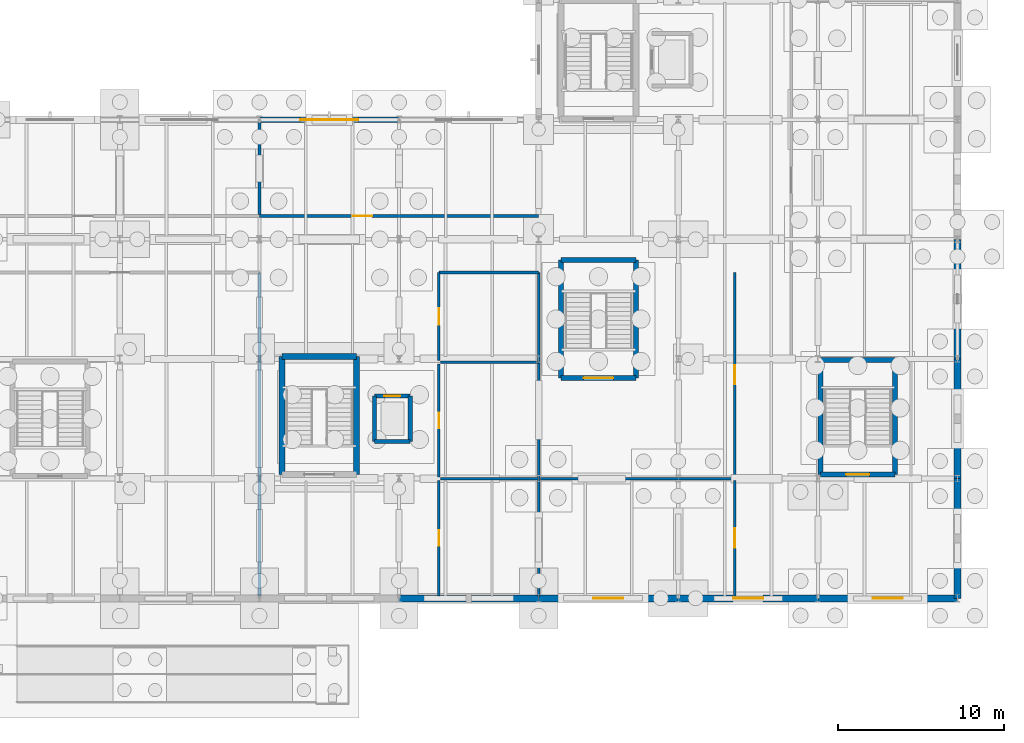
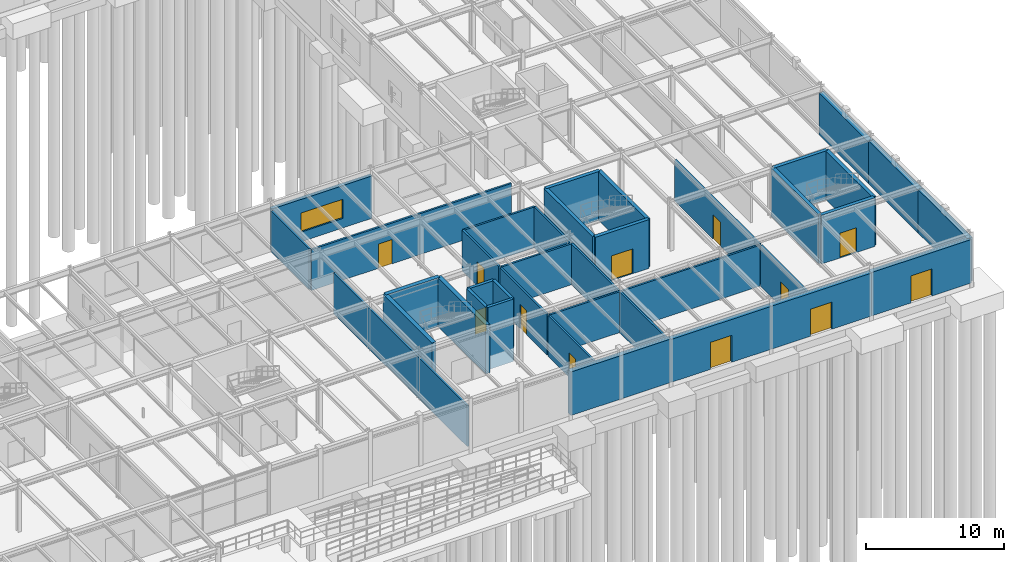
# One storey, part 63 of 93: 36 walls, 12 doors, 1 window, 13 openings.
"""IFC4 building model written with IfcOpenShell, lengths in metres."""

from ifc_helpers import new_model, si_unit, derived_unit, direction, frame, frame_2d, origin, place, context, subcontext, project, spatial, rectangle, extrude, material, layer, layer_set, type_object, element, fill, save


model = new_model("IFC4")

# Units and contexts
model_context = context("Model", 3, precision=1e-05, world=origin(), true_north=direction((0.0, 1.0)))
body_context = subcontext(model_context, "Body", "Model", "MODEL_VIEW")
ifc_project = project(units=[si_unit("LENGTHUNIT", "METRE"), si_unit("AREAUNIT", "SQUARE_METRE"), si_unit("VOLUMEUNIT", "CUBIC_METRE"), si_unit("PLANEANGLEUNIT", "RADIAN"), si_unit("MASSUNIT", "GRAM", prefix="KILO"), derived_unit("THERMALTRANSMITTANCEUNIT", [(si_unit("MASSUNIT", "GRAM", prefix="KILO"), 1), (si_unit("TIMEUNIT", "SECOND"), -3), (si_unit("THERMODYNAMICTEMPERATUREUNIT", "KELVIN"), -1)])], contexts=[model_context])

# Site, building, storey
site_placement = place(None, origin())
site = spatial("IfcSite", under=ifc_project, at=site_placement, CompositionType="ELEMENT")
building_placement = place(site_placement, origin())
building = spatial("IfcBuilding", under=site, at=building_placement, Name="Kharveza Railside Sports Centre", CompositionType="ELEMENT")
storey_placement = place(building_placement, origin())
storey = spatial("IfcBuildingStorey", under=building, at=storey_placement, Name="L00", CompositionType="ELEMENT", Elevation=0.0)

# Wall
ifc_material_1 = material(Name="Precast concrete C40/50", Category="concrete")
ifc_layer_1 = layer(ifc_material_1, 0.419921875, Name="Precast concrete C40/50")
ifc_layer_set_1 = layer_set([ifc_layer_1], Name="Precast concrete C40/50")
wall_type_1 = type_object("IfcWallType", Name="WL-BM420", PredefinedType="SOLIDWALL", material=ifc_layer_set_1)
wall_1_placement = place(storey_placement, frame((134.39990234375, 7.199951171875, 0.0), z_axis=(0.0, 0.0, 1.0), x_axis=(1.0, 0.0, 0.0)))
element("IfcWall", 1, at=wall_1_placement, inside=storey, type_object=wall_type_1, Name="WL-EXT-L00-011", PredefinedType="SOLIDWALL", context=body_context, shape_type="SweptSolid", body=[
    extrude(rectangle(XDim=8.400146484375, YDim=0.419921875, at=frame_2d((4.2001953125, 0.0))), origin(), (0.0, 0.0, 1.0), 3.85498046875),
])

# Wall, opening, door
wall_2_placement = place(storey_placement, frame((142.800048828125, 7.199951171875, 0.0), z_axis=(0.0, 0.0, 1.0), x_axis=(1.0, 0.0, 0.0)))
wall_2 = element("IfcWall", 2, at=wall_2_placement, inside=storey, type_object=wall_type_1, Name="WL-EXT-L00-012", PredefinedType="SOLIDWALL", context=body_context, shape_type="SweptSolid", body=[
    extrude(rectangle(XDim=8.39990234375, YDim=0.419921875, at=frame_2d((4.199951171875, 0.0))), origin(), (0.0, 0.0, 1.0), 3.804931640625),
])
opening_1_placement = place(wall_2_placement, frame((3.300048828125, 0.0, 0.0)))
opening_1 = element("IfcOpeningElement", 3, at=opening_1_placement, cuts=wall_2, Name="Opening D03", PredefinedType="OPENING", context=body_context, shape_type="SweptSolid", body=[
    extrude(rectangle(XDim=1.800048828125, YDim=2.39990234375, at=frame_2d((0.89990234375, 1.199951171875))), frame((0.0, 0.23486328125, 0.0), z_axis=(0.0, -1.0, 0.0), x_axis=(1.0, 0.0, 0.0)), (0.0, 0.0, 1.0), 0.4697265625),
])
ifc_material_2 = material(Name="Anodised aluminium 6063-T6", Category="aluminium")
door_type_1 = type_object("IfcDoorType", Name="DR-EX03", OperationType="NOTDEFINED", PredefinedType="DOOR", material=ifc_material_2)
door_1_placement = place(opening_1_placement, frame((1.800048828125, 0.0, 0.0), z_axis=(0.0, 0.0, 1.0), x_axis=(-1.0, 0.0, 0.0)))
door_1 = element("IfcDoor", 4, at=door_1_placement, inside=storey, type_object=door_type_1, Name="DR-L00-EX-006", OperationType="DOUBLE_DOOR_SINGLE_SWING", OverallHeight=2.39990234375, OverallWidth=1.800048828125, PredefinedType="DOOR", context=body_context, shape_type="SweptSolid", body=[
    extrude(rectangle(XDim=1.800048828125, YDim=2.39990234375, at=frame_2d((0.89990234375, 1.199951171875))), frame((0.0, 0.02490234375, 0.0), z_axis=(0.0, -1.0, 0.0), x_axis=(1.0, 0.0, 0.0)), (0.0, 0.0, 1.0), 0.050048828125),
])
fill(opening_1, door_1)

wall_3_placement = place(storey_placement, frame((151.199951171875, 7.199951171875, 0.0), z_axis=(0.0, 0.0, 1.0), x_axis=(1.0, 0.0, 0.0)))
wall_3 = element("IfcWall", 5, at=wall_3_placement, inside=storey, type_object=wall_type_1, Name="WL-EXT-L00-013", PredefinedType="SOLIDWALL", context=body_context, shape_type="SweptSolid", body=[
    extrude(rectangle(XDim=8.400146484375, YDim=0.419921875, at=frame_2d((4.2001953125, 0.0))), origin(), (0.0, 0.0, 1.0), 3.804931640625),
])
opening_2_placement = place(wall_3_placement, frame((3.300048828125, 0.0, 0.0)))
opening_2 = element("IfcOpeningElement", 6, at=opening_2_placement, cuts=wall_3, Name="Opening D03", PredefinedType="OPENING", context=body_context, shape_type="SweptSolid", body=[
    extrude(rectangle(XDim=1.800048828125, YDim=2.39990234375, at=frame_2d((0.89990234375, 1.199951171875))), frame((0.0, 0.23486328125, 0.0), z_axis=(0.0, -1.0, 0.0), x_axis=(1.0, 0.0, 0.0)), (0.0, 0.0, 1.0), 0.4697265625),
])
door_2_placement = place(opening_2_placement, frame((1.800048828125, 0.0, 0.0), z_axis=(0.0, 0.0, 1.0), x_axis=(-1.0, 0.0, 0.0)))
door_2 = element("IfcDoor", 7, at=door_2_placement, inside=storey, type_object=door_type_1, Name="DR-L00-EX-007", OperationType="DOUBLE_DOOR_SINGLE_SWING", OverallHeight=2.39990234375, OverallWidth=1.800048828125, PredefinedType="DOOR", context=body_context, shape_type="SweptSolid", body=[
    extrude(rectangle(XDim=1.800048828125, YDim=2.39990234375, at=frame_2d((0.89990234375, 1.199951171875))), frame((0.0, 0.02490234375, 0.0), z_axis=(0.0, -1.0, 0.0), x_axis=(1.0, 0.0, 0.0)), (0.0, 0.0, 1.0), 0.050048828125),
])
fill(opening_2, door_2)

wall_4_placement = place(storey_placement, frame((159.60009765625, 7.199951171875, 0.0), z_axis=(0.0, 0.0, 1.0), x_axis=(1.0, 0.0, 0.0)))
wall_4 = element("IfcWall", 8, at=wall_4_placement, inside=storey, type_object=wall_type_1, Name="WL-EXT-L00-014", PredefinedType="SOLIDWALL", context=body_context, shape_type="SweptSolid", body=[
    extrude(rectangle(XDim=8.39990234375, YDim=0.419921875, at=frame_2d((4.199951171875, 0.0))), origin(), (0.0, 0.0, 1.0), 3.85498046875),
])
opening_3_placement = place(wall_4_placement, frame((3.300048828125, 0.0, 0.0)))
opening_3 = element("IfcOpeningElement", 9, at=opening_3_placement, cuts=wall_4, Name="Opening D03", PredefinedType="OPENING", context=body_context, shape_type="SweptSolid", body=[
    extrude(rectangle(XDim=1.800048828125, YDim=2.39990234375, at=frame_2d((0.89990234375, 1.199951171875))), frame((0.0, 0.23486328125, 0.0), z_axis=(0.0, -1.0, 0.0), x_axis=(1.0, 0.0, 0.0)), (0.0, 0.0, 1.0), 0.4697265625),
])
door_3_placement = place(opening_3_placement, frame((1.800048828125, 0.0, 0.0), z_axis=(0.0, 0.0, 1.0), x_axis=(-1.0, 0.0, 0.0)))
door_3 = element("IfcDoor", 10, at=door_3_placement, inside=storey, type_object=door_type_1, Name="DR-L00-EX-008", OperationType="DOUBLE_DOOR_SINGLE_SWING", OverallHeight=2.39990234375, OverallWidth=1.800048828125, PredefinedType="DOOR", context=body_context, shape_type="SweptSolid", body=[
    extrude(rectangle(XDim=1.800048828125, YDim=2.39990234375, at=frame_2d((0.89990234375, 1.199951171875))), frame((0.0, 0.02490234375, 0.0), z_axis=(0.0, -1.0, 0.0), x_axis=(1.0, 0.0, 0.0)), (0.0, 0.0, 1.0), 0.050048828125),
])
fill(opening_3, door_3)

# Walls
wall_5_placement = place(storey_placement, frame((168.0, 7.199951171875, 0.0), z_axis=(0.0, 0.0, 1.0), x_axis=(0.0, 1.0, 0.0)))
element("IfcWall", 11, at=wall_5_placement, inside=storey, type_object=wall_type_1, Name="WL-EXT-L00-015", PredefinedType="SOLIDWALL", context=body_context, shape_type="SweptSolid", body=[
    extrude(rectangle(XDim=7.199951171875, YDim=0.419921875, at=frame_2d((3.60009765625, 0.0))), origin(), (0.0, 0.0, 1.0), 3.85498046875),
])
wall_6_placement = place(storey_placement, frame((168.0, 14.39990234375, 0.0), z_axis=(0.0, 0.0, 1.0), x_axis=(0.0, 1.0, 0.0)))
element("IfcWall", 12, at=wall_6_placement, inside=storey, type_object=wall_type_1, Name="WL-EXT-L00-016", PredefinedType="SOLIDWALL", context=body_context, shape_type="SweptSolid", body=[
    extrude(rectangle(XDim=7.2001953125, YDim=0.419921875, at=frame_2d((3.60009765625, 0.0))), origin(), (0.0, 0.0, 1.0), 3.804931640625),
])
wall_7_placement = place(storey_placement, frame((168.0, 21.60009765625, 0.0), z_axis=(0.0, 0.0, 1.0), x_axis=(0.0, 1.0, 0.0)))
element("IfcWall", 13, at=wall_7_placement, inside=storey, type_object=wall_type_1, Name="WL-EXT-L00-017", PredefinedType="SOLIDWALL", context=body_context, shape_type="SweptSolid", body=[
    extrude(rectangle(XDim=7.199951171875, YDim=0.419921875, at=frame_2d((3.60009765625, 0.0))), origin(), (0.0, 0.0, 1.0), 3.705078125),
])
ifc_material_3 = material(Name="Concrete C35/45", Category="concrete")
ifc_layer_2 = layer(ifc_material_3, 0.25, Name="Concrete C35/45")
ifc_layer_set_2 = layer_set([ifc_layer_2], Name="Concrete C35/45")
wall_type_2 = type_object("IfcWallType", Name="WL-CR250", PredefinedType="SHEAR", material=ifc_layer_set_2)
wall_8_placement = place(storey_placement, frame((132.925048828125, 16.625, -1.199951171875), z_axis=(0.0, 0.0, 1.0), x_axis=(1.0, 0.0, 0.0)))
element("IfcWall", 14, at=wall_8_placement, inside=storey, type_object=wall_type_2, Name="WL-LFSH-LF3-L00-S", PredefinedType="SHEAR", context=body_context, shape_type="SweptSolid", body=[
    extrude(rectangle(XDim=2.14990234375, YDim=0.25, at=frame_2d((1.074951171875, 0.0))), origin(), (0.0, 0.0, 1.0), 5.52001953125),
])
wall_9_placement = place(storey_placement, frame((135.074951171875, 16.625, -1.199951171875), z_axis=(0.0, 0.0, 1.0), x_axis=(0.0, 1.0, 0.0)))
element("IfcWall", 15, at=wall_9_placement, inside=storey, type_object=wall_type_2, Name="WL-LFSH-LF3-L00-E", PredefinedType="SHEAR", context=body_context, shape_type="SweptSolid", body=[
    extrude(rectangle(XDim=2.75, YDim=0.25, at=frame_2d((1.375, 0.0))), origin(), (0.0, 0.0, 1.0), 5.52001953125),
])

# Wall, opening, door
wall_10_placement = place(storey_placement, frame((135.074951171875, 19.375, -1.199951171875), z_axis=(0.0, 0.0, 1.0), x_axis=(-1.0, 0.0, 0.0)))
wall_10 = element("IfcWall", 16, at=wall_10_placement, inside=storey, type_object=wall_type_2, Name="WL-LFSH-LF3-L00-N", PredefinedType="SHEAR", context=body_context, shape_type="SweptSolid", body=[
    extrude(rectangle(XDim=2.14990234375, YDim=0.25, at=frame_2d((1.074951171875, 0.0))), origin(), (0.0, 0.0, 1.0), 5.52001953125),
])
opening_4_placement = place(wall_10_placement, frame((0.60009765625, 0.0, 1.199951171875)))
opening_4 = element("IfcOpeningElement", 17, at=opening_4_placement, cuts=wall_10, Name="Opening D12", PredefinedType="OPENING", context=body_context, shape_type="SweptSolid", body=[
    extrude(rectangle(XDim=0.949951171875, YDim=2.10009765625, at=frame_2d((0.47509765625, 1.050048828125))), frame((0.0, 0.14990234375, 0.0), z_axis=(0.0, -1.0, 0.0), x_axis=(1.0, 0.0, 0.0)), (0.0, 0.0, 1.0), 0.2998046875),
])
ifc_material_4 = material(Name="Brushed stainless steel landing door", Category="steel")
door_type_2 = type_object("IfcDoorType", Name="DR-LF02", OperationType="NOTDEFINED", PredefinedType="DOOR", material=ifc_material_4)
door_4_placement = place(opening_4_placement, origin())
door_4 = element("IfcDoor", 18, at=door_4_placement, inside=storey, type_object=door_type_2, Name="DR-LD-LF3-L00", OperationType="SLIDING_TO_LEFT", OverallHeight=2.10009765625, OverallWidth=0.949951171875, PredefinedType="DOOR", context=body_context, shape_type="SweptSolid", body=[
    extrude(rectangle(XDim=0.949951171875, YDim=2.10009765625, at=frame_2d((0.47509765625, 1.050048828125))), frame((0.0, 0.02490234375, 0.0), z_axis=(0.0, -1.0, 0.0), x_axis=(1.0, 0.0, 0.0)), (0.0, 0.0, 1.0), 0.050048828125),
])
fill(opening_4, door_4)

# Wall
wall_11_placement = place(storey_placement, frame((132.925048828125, 19.375, -1.199951171875), z_axis=(0.0, 0.0, 1.0), x_axis=(0.0, -1.0, 0.0)))
element("IfcWall", 19, at=wall_11_placement, inside=storey, type_object=wall_type_2, Name="WL-LFSH-LF3-L00-W", PredefinedType="SHEAR", context=body_context, shape_type="SweptSolid", body=[
    extrude(rectangle(XDim=2.75, YDim=0.25, at=frame_2d((1.375, 0.0))), origin(), (0.0, 0.0, 1.0), 5.52001953125),
])

# Wall, opening, door
ifc_layer_3 = layer(ifc_material_3, 0.300048828125, Name="Concrete C35/45")
ifc_layer_set_3 = layer_set([ifc_layer_3], Name="Concrete C35/45")
wall_type_3 = type_object("IfcWallType", Name="WL-CR300", PredefinedType="SHEAR", material=ifc_layer_set_3)
wall_12_placement = place(storey_placement, frame((144.14990234375, 20.449951171875, 0.0), z_axis=(0.0, 0.0, 1.0), x_axis=(1.0, 0.0, 0.0)))
wall_12 = element("IfcWall", 20, at=wall_12_placement, inside=storey, type_object=wall_type_3, Name="WL-CORE-ST5-L00-S", PredefinedType="SHEAR", context=body_context, shape_type="SweptSolid", body=[
    extrude(rectangle(XDim=4.5, YDim=0.300048828125, at=frame_2d((2.25, 0.0))), origin(), (0.0, 0.0, 1.0), 4.320068359375),
])
opening_5_placement = place(wall_12_placement, frame((1.35009765625, 0.0, 0.0)))
opening_5 = element("IfcOpeningElement", 21, at=opening_5_placement, cuts=wall_12, Name="Opening D08", PredefinedType="OPENING", context=body_context, shape_type="SweptSolid", body=[
    extrude(rectangle(XDim=1.800048828125, YDim=2.199951171875, at=frame_2d((0.89990234375, 1.10009765625))), frame((0.0, 0.1748046875, 0.0), z_axis=(0.0, -1.0, 0.0), x_axis=(1.0, 0.0, 0.0)), (0.0, 0.0, 1.0), 0.349853515625),
])
ifc_material_5 = material(Name="Fire-rated hardwood door leaf", Category="wood")
door_type_3 = type_object("IfcDoorType", Name="DR-ST01", OperationType="NOTDEFINED", PredefinedType="DOOR", material=ifc_material_5)
door_5_placement = place(opening_5_placement, frame((1.800048828125, 0.0, 0.0), z_axis=(0.0, 0.0, 1.0), x_axis=(-1.0, 0.0, 0.0)))
door_5 = element("IfcDoor", 22, at=door_5_placement, inside=storey, type_object=door_type_3, Name="DR-ST-ST5-L00", OperationType="DOUBLE_DOOR_SINGLE_SWING", OverallHeight=2.199951171875, OverallWidth=1.800048828125, PredefinedType="DOOR", context=body_context, shape_type="SweptSolid", body=[
    extrude(rectangle(XDim=1.800048828125, YDim=2.199951171875, at=frame_2d((0.89990234375, 1.10009765625))), frame((0.0, 0.02490234375, 0.0), z_axis=(0.0, -1.0, 0.0), x_axis=(1.0, 0.0, 0.0)), (0.0, 0.0, 1.0), 0.050048828125),
])
fill(opening_5, door_5)

# Walls
wall_13_placement = place(storey_placement, frame((148.64990234375, 20.449951171875, 0.0), z_axis=(0.0, 0.0, 1.0), x_axis=(0.0, 1.0, 0.0)))
element("IfcWall", 23, at=wall_13_placement, inside=storey, type_object=wall_type_3, Name="WL-CORE-ST5-L00-E", PredefinedType="SHEAR", context=body_context, shape_type="SweptSolid", body=[
    extrude(rectangle(XDim=7.10009765625, YDim=0.300048828125, at=frame_2d((3.550048828125, 0.0))), origin(), (0.0, 0.0, 1.0), 4.320068359375),
])
wall_14_placement = place(storey_placement, frame((148.64990234375, 27.550048828125, 0.0), z_axis=(0.0, 0.0, 1.0), x_axis=(-1.0, 0.0, 0.0)))
element("IfcWall", 24, at=wall_14_placement, inside=storey, type_object=wall_type_3, Name="WL-CORE-ST5-L00-N", PredefinedType="SHEAR", context=body_context, shape_type="SweptSolid", body=[
    extrude(rectangle(XDim=4.5, YDim=0.300048828125, at=frame_2d((2.25, 0.0))), origin(), (0.0, 0.0, 1.0), 4.320068359375),
])
wall_15_placement = place(storey_placement, frame((144.14990234375, 27.550048828125, 0.0), z_axis=(0.0, 0.0, 1.0), x_axis=(0.0, -1.0, 0.0)))
element("IfcWall", 25, at=wall_15_placement, inside=storey, type_object=wall_type_3, Name="WL-CORE-ST5-L00-W", PredefinedType="SHEAR", context=body_context, shape_type="SweptSolid", body=[
    extrude(rectangle(XDim=7.10009765625, YDim=0.300048828125, at=frame_2d((3.550048828125, 0.0))), origin(), (0.0, 0.0, 1.0), 4.320068359375),
])

# Wall, opening, door
wall_16_placement = place(storey_placement, frame((159.75, 14.64990234375, 0.0), z_axis=(0.0, 0.0, 1.0), x_axis=(1.0, 0.0, 0.0)))
wall_16 = element("IfcWall", 26, at=wall_16_placement, inside=storey, type_object=wall_type_3, Name="WL-CORE-ST11-L00-S", PredefinedType="SHEAR", context=body_context, shape_type="SweptSolid", body=[
    extrude(rectangle(XDim=4.5, YDim=0.300048828125, at=frame_2d((2.25, 0.0))), origin(), (0.0, 0.0, 1.0), 4.320068359375),
])
opening_6_placement = place(wall_16_placement, frame((1.550048828125, 0.0, 0.0)))
opening_6 = element("IfcOpeningElement", 27, at=opening_6_placement, cuts=wall_16, Name="Opening D09", PredefinedType="OPENING", context=body_context, shape_type="SweptSolid", body=[
    extrude(rectangle(XDim=1.39990234375, YDim=2.199951171875, at=frame_2d((0.699951171875, 1.10009765625))), frame((0.0, 0.1748046875, 0.0), z_axis=(0.0, -1.0, 0.0), x_axis=(1.0, 0.0, 0.0)), (0.0, 0.0, 1.0), 0.349853515625),
])
door_type_4 = type_object("IfcDoorType", Name="DR-ST02", OperationType="NOTDEFINED", PredefinedType="DOOR", material=ifc_material_5)
door_6_placement = place(opening_6_placement, frame((1.39990234375, 0.0, 0.0), z_axis=(0.0, 0.0, 1.0), x_axis=(-1.0, 0.0, 0.0)))
door_6 = element("IfcDoor", 28, at=door_6_placement, inside=storey, type_object=door_type_4, Name="DR-ST-ST11-L00", OperationType="SINGLE_SWING_RIGHT", OverallHeight=2.199951171875, OverallWidth=1.39990234375, PredefinedType="DOOR", context=body_context, shape_type="SweptSolid", body=[
    extrude(rectangle(XDim=1.39990234375, YDim=2.199951171875, at=frame_2d((0.699951171875, 1.10009765625))), frame((0.0, 0.02490234375, 0.0), z_axis=(0.0, -1.0, 0.0), x_axis=(1.0, 0.0, 0.0)), (0.0, 0.0, 1.0), 0.050048828125),
])
fill(opening_6, door_6)

# Walls
wall_17_placement = place(storey_placement, frame((164.25, 14.64990234375, 0.0), z_axis=(0.0, 0.0, 1.0), x_axis=(0.0, 1.0, 0.0)))
element("IfcWall", 29, at=wall_17_placement, inside=storey, type_object=wall_type_3, Name="WL-CORE-ST11-L00-E", PredefinedType="SHEAR", context=body_context, shape_type="SweptSolid", body=[
    extrude(rectangle(XDim=6.900146484375, YDim=0.300048828125, at=frame_2d((3.4501953125, 0.0))), origin(), (0.0, 0.0, 1.0), 4.320068359375),
])
wall_18_placement = place(storey_placement, frame((164.25, 21.550048828125, 0.0), z_axis=(0.0, 0.0, 1.0), x_axis=(-1.0, 0.0, 0.0)))
element("IfcWall", 30, at=wall_18_placement, inside=storey, type_object=wall_type_3, Name="WL-CORE-ST11-L00-N", PredefinedType="SHEAR", context=body_context, shape_type="SweptSolid", body=[
    extrude(rectangle(XDim=4.5, YDim=0.300048828125, at=frame_2d((2.25, 0.0))), origin(), (0.0, 0.0, 1.0), 4.320068359375),
])
wall_19_placement = place(storey_placement, frame((159.75, 21.550048828125, 0.0), z_axis=(0.0, 0.0, 1.0), x_axis=(0.0, -1.0, 0.0)))
element("IfcWall", 31, at=wall_19_placement, inside=storey, type_object=wall_type_3, Name="WL-CORE-ST11-L00-W", PredefinedType="SHEAR", context=body_context, shape_type="SweptSolid", body=[
    extrude(rectangle(XDim=6.900146484375, YDim=0.300048828125, at=frame_2d((3.4501953125, 0.0))), origin(), (0.0, 0.0, 1.0), 4.320068359375),
])
ifc_layer_4 = layer(ifc_material_3, 0.35009765625, Name="Concrete C35/45")
ifc_layer_set_4 = layer_set([ifc_layer_4], Name="Concrete C35/45")
wall_type_4 = type_object("IfcWallType", Name="WL-CR350", PredefinedType="SHEAR", material=ifc_layer_set_4)
wall_20_placement = place(storey_placement, frame((131.85009765625, 14.64990234375, 0.0), z_axis=(0.0, 0.0, 1.0), x_axis=(0.0, 1.0, 0.0)))
element("IfcWall", 32, at=wall_20_placement, inside=storey, type_object=wall_type_4, Name="WL-CORE-ST3-L00-E", PredefinedType="SHEAR", context=body_context, shape_type="SweptSolid", body=[
    extrude(rectangle(XDim=7.10009765625, YDim=0.35009765625, at=frame_2d((3.550048828125, 0.0))), origin(), (0.0, 0.0, 1.0), 4.320068359375),
])
wall_21_placement = place(storey_placement, frame((131.85009765625, 21.75, 0.0), z_axis=(0.0, 0.0, 1.0), x_axis=(-1.0, 0.0, 0.0)))
element("IfcWall", 33, at=wall_21_placement, inside=storey, type_object=wall_type_4, Name="WL-CORE-ST3-L00-N", PredefinedType="SHEAR", context=body_context, shape_type="SweptSolid", body=[
    extrude(rectangle(XDim=4.5, YDim=0.35009765625, at=frame_2d((2.25, 0.0))), origin(), (0.0, 0.0, 1.0), 4.320068359375),
])
wall_22_placement = place(storey_placement, frame((127.35009765625, 21.75, 0.0), z_axis=(0.0, 0.0, 1.0), x_axis=(0.0, -1.0, 0.0)))
element("IfcWall", 34, at=wall_22_placement, inside=storey, type_object=wall_type_4, Name="WL-CORE-ST3-L00-W", PredefinedType="SHEAR", context=body_context, shape_type="SweptSolid", body=[
    extrude(rectangle(XDim=7.10009765625, YDim=0.35009765625, at=frame_2d((3.550048828125, 0.0))), origin(), (0.0, 0.0, 1.0), 4.320068359375),
])

# Wall, opening, window
ifc_layer_5 = layer(ifc_material_1, 0.320068359375, Name="Precast concrete C40/50")
ifc_layer_set_5 = layer_set([ifc_layer_5], Name="Precast concrete C40/50")
wall_type_5 = type_object("IfcWallType", Name="WL-EX320", PredefinedType="STANDARD", material=ifc_layer_set_5)
wall_23_placement = place(storey_placement, frame((134.39990234375, 36.0, 0.0), z_axis=(0.0, 0.0, 1.0), x_axis=(-1.0, 0.0, 0.0)))
wall_23 = element("IfcWall", 35, at=wall_23_placement, inside=storey, type_object=wall_type_5, Name="WL-EXT-L00-055", PredefinedType="STANDARD", context=body_context, shape_type="SweptSolid", body=[
    extrude(rectangle(XDim=8.39990234375, YDim=0.320068359375, at=frame_2d((4.199951171875, 0.0))), origin(), (0.0, 0.0, 1.0), 3.7548828125),
])
opening_7_placement = place(wall_23_placement, frame((2.449951171875, 0.0, 0.85009765625)))
opening_7 = element("IfcOpeningElement", 36, at=opening_7_placement, cuts=wall_23, Name="Opening WN28", PredefinedType="OPENING", context=body_context, shape_type="SweptSolid", body=[
    extrude(rectangle(XDim=3.5, YDim=1.699951171875, at=frame_2d((1.75, 0.85009765625))), frame((0.0, 0.18505859375, 0.0), z_axis=(0.0, -1.0, 0.0), x_axis=(1.0, 0.0, 0.0)), (0.0, 0.0, 1.0), 0.369873046875),
])
ifc_material_6 = material(Name="Low-E solar-control laminated glass", Category="glass")
window_type = type_object("IfcWindowType", Name="WN-Z12", PartitioningType="SINGLE_PANEL", PredefinedType="WINDOW", material=ifc_material_6)
window_placement = place(opening_7_placement, origin())
window = element("IfcWindow", 37, at=window_placement, inside=storey, type_object=window_type, Name="WN-EXT-L00-009", OverallHeight=1.699951171875, OverallWidth=3.5, PartitioningType="SINGLE_PANEL", PredefinedType="WINDOW", context=body_context, shape_type="SweptSolid", body=[
    extrude(rectangle(XDim=3.5, YDim=1.699951171875, at=frame_2d((1.75, 0.85009765625))), frame((0.0, 0.030029296875, 0.0), z_axis=(0.0, -1.0, 0.0), x_axis=(1.0, 0.0, 0.0)), (0.0, 0.0, 1.0), 0.06005859375),
])
fill(opening_7, window)

# Wall
ifc_layer_6 = layer(ifc_material_3, 0.159912109375, Name="Concrete C35/45")
ifc_layer_set_6 = layer_set([ifc_layer_6], Name="Concrete C35/45")
wall_type_6 = type_object("IfcWallType", Name="WL-PT160", PredefinedType="PARTITIONING", material=ifc_layer_set_6)
wall_24_placement = place(storey_placement, frame((126.0, 7.35009765625, 0.0), z_axis=(0.0, 0.0, 1.0), x_axis=(0.0, 1.0, 0.0)))
element("IfcWall", 38, at=wall_24_placement, inside=storey, type_object=wall_type_6, Name="WL-INT-L00-014", PredefinedType="PARTITIONING", context=body_context, shape_type="SweptSolid", body=[
    extrude(rectangle(XDim=19.449951171875, YDim=0.159912109375, at=frame_2d((9.72509765625, 0.0))), origin(), (0.0, 0.0, 1.0), 3.6201171875),
])

# Wall, opening, door
wall_25_placement = place(storey_placement, frame((126.0, 30.199951171875, 0.0), z_axis=(0.0, 0.0, 1.0), x_axis=(1.0, 0.0, 0.0)))
wall_25 = element("IfcWall", 39, at=wall_25_placement, inside=storey, type_object=wall_type_6, Name="WL-INT-L00-016", PredefinedType="PARTITIONING", context=body_context, shape_type="SweptSolid", body=[
    extrude(rectangle(XDim=16.800048828125, YDim=0.159912109375, at=frame_2d((8.39990234375, 0.0))), origin(), (0.0, 0.0, 1.0), 3.6201171875),
])
opening_8_placement = place(wall_25_placement, frame((5.625, 0.0, 0.0)))
opening_8 = element("IfcOpeningElement", 40, at=opening_8_placement, cuts=wall_25, Name="Opening D17", PredefinedType="OPENING", context=body_context, shape_type="SweptSolid", body=[
    extrude(rectangle(XDim=1.14990234375, YDim=2.14990234375, at=frame_2d((0.574951171875, 1.074951171875))), frame((0.0, 0.10498046875, 0.0), z_axis=(0.0, -1.0, 0.0), x_axis=(1.0, 0.0, 0.0)), (0.0, 0.0, 1.0), 0.209716796875),
])
door_type_5 = type_object("IfcDoorType", Name="DR-IN05", OperationType="NOTDEFINED", PredefinedType="DOOR", material=ifc_material_5)
door_7_placement = place(opening_8_placement, origin())
door_7 = element("IfcDoor", 41, at=door_7_placement, inside=storey, type_object=door_type_5, Name="DR-INT-L00-014", OperationType="SINGLE_SWING_LEFT", OverallHeight=2.14990234375, OverallWidth=1.14990234375, PredefinedType="DOOR", context=body_context, shape_type="SweptSolid", body=[
    extrude(rectangle(XDim=1.14990234375, YDim=2.14990234375, at=frame_2d((0.574951171875, 1.074951171875))), frame((0.0, 0.02490234375, 0.0), z_axis=(0.0, -1.0, 0.0), x_axis=(1.0, 0.0, 0.0)), (0.0, 0.0, 1.0), 0.050048828125),
])
fill(opening_8, door_7)

# Wall
wall_26_placement = place(storey_placement, frame((126.0, 30.300048828125, 0.0), z_axis=(0.0, 0.0, 1.0), x_axis=(0.0, 1.0, 0.0)))
element("IfcWall", 42, at=wall_26_placement, inside=storey, type_object=wall_type_6, Name="WL-INT-L00-017", PredefinedType="PARTITIONING", context=body_context, shape_type="SweptSolid", body=[
    extrude(rectangle(XDim=5.550048828125, YDim=0.159912109375, at=frame_2d((2.77490234375, 0.0))), origin(), (0.0, 0.0, 1.0), 3.6201171875),
])

# Wall, opening, door
wall_27_placement = place(storey_placement, frame((136.800048828125, 7.35009765625, 0.0), z_axis=(0.0, 0.0, 1.0), x_axis=(0.0, 1.0, 0.0)))
wall_27 = element("IfcWall", 43, at=wall_27_placement, inside=storey, type_object=wall_type_6, Name="WL-INT-L00-018", PredefinedType="PARTITIONING", context=body_context, shape_type="SweptSolid", body=[
    extrude(rectangle(XDim=6.949951171875, YDim=0.159912109375, at=frame_2d((3.47509765625, 0.0))), origin(), (0.0, 0.0, 1.0), 3.6201171875),
])
opening_9_placement = place(wall_27_placement, frame((3.0, 0.0, 0.0)))
opening_9 = element("IfcOpeningElement", 44, at=opening_9_placement, cuts=wall_27, Name="Opening D19", PredefinedType="OPENING", context=body_context, shape_type="SweptSolid", body=[
    extrude(rectangle(XDim=0.949951171875, YDim=2.14990234375, at=frame_2d((0.47509765625, 1.074951171875))), frame((0.0, 0.10498046875, 0.0), z_axis=(0.0, -1.0, 0.0), x_axis=(1.0, 0.0, 0.0)), (0.0, 0.0, 1.0), 0.209716796875),
])
door_type_6 = type_object("IfcDoorType", Name="DR-IN07", OperationType="NOTDEFINED", PredefinedType="DOOR", material=ifc_material_5)
door_8_placement = place(opening_9_placement, frame((0.949951171875, 0.0, 0.0), z_axis=(0.0, 0.0, 1.0), x_axis=(-1.0, 0.0, 0.0)))
door_8 = element("IfcDoor", 45, at=door_8_placement, inside=storey, type_object=door_type_6, Name="DR-INT-L00-015", OperationType="SINGLE_SWING_RIGHT", OverallHeight=2.14990234375, OverallWidth=0.949951171875, PredefinedType="DOOR", context=body_context, shape_type="SweptSolid", body=[
    extrude(rectangle(XDim=0.949951171875, YDim=2.14990234375, at=frame_2d((0.47509765625, 1.074951171875))), frame((0.0, 0.02490234375, 0.0), z_axis=(0.0, -1.0, 0.0), x_axis=(1.0, 0.0, 0.0)), (0.0, 0.0, 1.0), 0.050048828125),
])
fill(opening_9, door_8)

wall_28_placement = place(storey_placement, frame((136.800048828125, 14.5, 0.0), z_axis=(0.0, 0.0, 1.0), x_axis=(0.0, 1.0, 0.0)))
wall_28 = element("IfcWall", 46, at=wall_28_placement, inside=storey, type_object=wall_type_6, Name="WL-INT-L00-019", PredefinedType="PARTITIONING", context=body_context, shape_type="SweptSolid", body=[
    extrude(rectangle(XDim=6.800048828125, YDim=0.159912109375, at=frame_2d((3.39990234375, 0.0))), origin(), (0.0, 0.0, 1.0), 3.6201171875),
])
opening_10_placement = place(wall_28_placement, frame((2.925048828125, 0.0, 0.0)))
opening_10 = element("IfcOpeningElement", 47, at=opening_10_placement, cuts=wall_28, Name="Opening D19", PredefinedType="OPENING", context=body_context, shape_type="SweptSolid", body=[
    extrude(rectangle(XDim=0.949951171875, YDim=2.14990234375, at=frame_2d((0.47509765625, 1.074951171875))), frame((0.0, 0.10498046875, 0.0), z_axis=(0.0, -1.0, 0.0), x_axis=(1.0, 0.0, 0.0)), (0.0, 0.0, 1.0), 0.209716796875),
])
door_9_placement = place(opening_10_placement, origin())
door_9 = element("IfcDoor", 48, at=door_9_placement, inside=storey, type_object=door_type_6, Name="DR-INT-L00-016", OperationType="SINGLE_SWING_LEFT", OverallHeight=2.14990234375, OverallWidth=0.949951171875, PredefinedType="DOOR", context=body_context, shape_type="SweptSolid", body=[
    extrude(rectangle(XDim=0.949951171875, YDim=2.14990234375, at=frame_2d((0.47509765625, 1.074951171875))), frame((0.0, 0.02490234375, 0.0), z_axis=(0.0, -1.0, 0.0), x_axis=(1.0, 0.0, 0.0)), (0.0, 0.0, 1.0), 0.050048828125),
])
fill(opening_10, door_9)

wall_29_placement = place(storey_placement, frame((136.800048828125, 21.5, 0.0), z_axis=(0.0, 0.0, 1.0), x_axis=(0.0, 1.0, 0.0)))
wall_29 = element("IfcWall", 49, at=wall_29_placement, inside=storey, type_object=wall_type_6, Name="WL-INT-L00-020", PredefinedType="PARTITIONING", context=body_context, shape_type="SweptSolid", body=[
    extrude(rectangle(XDim=5.300048828125, YDim=0.159912109375, at=frame_2d((2.64990234375, 0.0))), origin(), (0.0, 0.0, 1.0), 3.6201171875),
])
opening_11_placement = place(wall_29_placement, frame((2.14990234375, 0.0, 0.0)))
opening_11 = element("IfcOpeningElement", 50, at=opening_11_placement, cuts=wall_29, Name="Opening D18", PredefinedType="OPENING", context=body_context, shape_type="SweptSolid", body=[
    extrude(rectangle(XDim=1.0, YDim=2.14990234375, at=frame_2d((0.5, 1.074951171875))), frame((0.0, 0.10498046875, 0.0), z_axis=(0.0, -1.0, 0.0), x_axis=(1.0, 0.0, 0.0)), (0.0, 0.0, 1.0), 0.209716796875),
])
door_type_7 = type_object("IfcDoorType", Name="DR-IN06", OperationType="NOTDEFINED", PredefinedType="DOOR", material=ifc_material_5)
door_10_placement = place(opening_11_placement, origin())
door_10 = element("IfcDoor", 51, at=door_10_placement, inside=storey, type_object=door_type_7, Name="DR-INT-L00-017", OperationType="SINGLE_SWING_RIGHT", OverallHeight=2.14990234375, OverallWidth=1.0, PredefinedType="DOOR", context=body_context, shape_type="SweptSolid", body=[
    extrude(rectangle(XDim=1.0, YDim=2.14990234375, at=frame_2d((0.5, 1.074951171875))), frame((0.0, 0.02490234375, 0.0), z_axis=(0.0, -1.0, 0.0), x_axis=(1.0, 0.0, 0.0)), (0.0, 0.0, 1.0), 0.050048828125),
])
fill(opening_11, door_10)

# Walls
for number, where, z_axis, x_axis, name in (
    (52, (136.89990234375, 14.39990234375, 0.0), (0.0, 0.0, 1.0), (1.0, 0.0, 0.0), "WL-INT-L00-021"),
    (53, (136.89990234375, 21.39990234375, 0.0), (0.0, 0.0, 1.0), (1.0, 0.0, 0.0), "WL-INT-L00-022"),
):
    element("IfcWall", number, at=place(storey_placement, frame(where, z_axis=z_axis, x_axis=x_axis)), inside=storey, type_object=wall_type_6, Name=name, PredefinedType="PARTITIONING", context=body_context, shape_type="SweptSolid", body=[
        extrude(rectangle(XDim=5.900146484375, YDim=0.159912109375, at=frame_2d((2.9501953125, 0.0))), origin(), (0.0, 0.0, 1.0), 3.6201171875),
    ])
wall_30_placement = place(storey_placement, frame((136.800048828125, 26.800048828125, 0.0), z_axis=(0.0, 0.0, 1.0), x_axis=(1.0, 0.0, 0.0)))
element("IfcWall", 54, at=wall_30_placement, inside=storey, type_object=wall_type_6, Name="WL-INT-L00-023", PredefinedType="PARTITIONING", context=body_context, shape_type="SweptSolid", body=[
    extrude(rectangle(XDim=6.0, YDim=0.159912109375, at=frame_2d((3.0, 0.0))), origin(), (0.0, 0.0, 1.0), 3.6201171875),
])
wall_31_placement = place(storey_placement, frame((142.800048828125, 7.35009765625, 0.0), z_axis=(0.0, 0.0, 1.0), x_axis=(0.0, 1.0, 0.0)))
element("IfcWall", 55, at=wall_31_placement, inside=storey, type_object=wall_type_6, Name="WL-INT-L00-024", PredefinedType="PARTITIONING", context=body_context, shape_type="SweptSolid", body=[
    extrude(rectangle(XDim=19.449951171875, YDim=0.159912109375, at=frame_2d((9.72509765625, 0.0))), origin(), (0.0, 0.0, 1.0), 3.6201171875),
])

# Wall, opening, door
wall_32_placement = place(storey_placement, frame((154.60009765625, 7.35009765625, 0.0), z_axis=(0.0, 0.0, 1.0), x_axis=(0.0, 1.0, 0.0)))
wall_32 = element("IfcWall", 56, at=wall_32_placement, inside=storey, type_object=wall_type_6, Name="WL-INT-L00-025", PredefinedType="PARTITIONING", context=body_context, shape_type="SweptSolid", body=[
    extrude(rectangle(XDim=6.949951171875, YDim=0.159912109375, at=frame_2d((3.47509765625, 0.0))), origin(), (0.0, 0.0, 1.0), 3.6201171875),
])
opening_12_placement = place(wall_32_placement, frame((2.89990234375, 0.0, 0.0)))
opening_12 = element("IfcOpeningElement", 57, at=opening_12_placement, cuts=wall_32, Name="Opening D17", PredefinedType="OPENING", context=body_context, shape_type="SweptSolid", body=[
    extrude(rectangle(XDim=1.14990234375, YDim=2.14990234375, at=frame_2d((0.574951171875, 1.074951171875))), frame((0.0, 0.10498046875, 0.0), z_axis=(0.0, -1.0, 0.0), x_axis=(1.0, 0.0, 0.0)), (0.0, 0.0, 1.0), 0.209716796875),
])
door_11_placement = place(opening_12_placement, frame((1.14990234375, 0.0, 0.0), z_axis=(0.0, 0.0, 1.0), x_axis=(-1.0, 0.0, 0.0)))
door_11 = element("IfcDoor", 58, at=door_11_placement, inside=storey, type_object=door_type_5, Name="DR-INT-L00-018", OperationType="SINGLE_SWING_LEFT", OverallHeight=2.14990234375, OverallWidth=1.14990234375, PredefinedType="DOOR", context=body_context, shape_type="SweptSolid", body=[
    extrude(rectangle(XDim=1.14990234375, YDim=2.14990234375, at=frame_2d((0.574951171875, 1.074951171875))), frame((0.0, 0.02490234375, 0.0), z_axis=(0.0, -1.0, 0.0), x_axis=(1.0, 0.0, 0.0)), (0.0, 0.0, 1.0), 0.050048828125),
])
fill(opening_12, door_11)

wall_33_placement = place(storey_placement, frame((154.60009765625, 14.5, 0.0), z_axis=(0.0, 0.0, 1.0), x_axis=(0.0, 1.0, 0.0)))
wall_33 = element("IfcWall", 59, at=wall_33_placement, inside=storey, type_object=wall_type_6, Name="WL-INT-L00-026", PredefinedType="PARTITIONING", context=body_context, shape_type="SweptSolid", body=[
    extrude(rectangle(XDim=12.300048828125, YDim=0.159912109375, at=frame_2d((6.14990234375, 0.0))), origin(), (0.0, 0.0, 1.0), 3.6201171875),
])
opening_13_placement = place(wall_33_placement, frame((5.574951171875, 0.0, 0.0)))
opening_13 = element("IfcOpeningElement", 60, at=opening_13_placement, cuts=wall_33, Name="Opening D17", PredefinedType="OPENING", context=body_context, shape_type="SweptSolid", body=[
    extrude(rectangle(XDim=1.14990234375, YDim=2.14990234375, at=frame_2d((0.574951171875, 1.074951171875))), frame((0.0, 0.10498046875, 0.0), z_axis=(0.0, -1.0, 0.0), x_axis=(1.0, 0.0, 0.0)), (0.0, 0.0, 1.0), 0.209716796875),
])
door_12_placement = place(opening_13_placement, origin())
door_12 = element("IfcDoor", 61, at=door_12_placement, inside=storey, type_object=door_type_5, Name="DR-INT-L00-019", OperationType="SINGLE_SWING_RIGHT", OverallHeight=2.14990234375, OverallWidth=1.14990234375, PredefinedType="DOOR", context=body_context, shape_type="SweptSolid", body=[
    extrude(rectangle(XDim=1.14990234375, YDim=2.14990234375, at=frame_2d((0.574951171875, 1.074951171875))), frame((0.0, 0.02490234375, 0.0), z_axis=(0.0, -1.0, 0.0), x_axis=(1.0, 0.0, 0.0)), (0.0, 0.0, 1.0), 0.050048828125),
])
fill(opening_13, door_12)

# Wall
wall_34_placement = place(storey_placement, frame((142.89990234375, 14.39990234375, 0.0), z_axis=(0.0, 0.0, 1.0), x_axis=(1.0, 0.0, 0.0)))
element("IfcWall", 62, at=wall_34_placement, inside=storey, type_object=wall_type_6, Name="WL-INT-L00-027", PredefinedType="PARTITIONING", context=body_context, shape_type="SweptSolid", body=[
    extrude(rectangle(XDim=11.60009765625, YDim=0.159912109375, at=frame_2d((5.800048828125, 0.0))), origin(), (0.0, 0.0, 1.0), 3.6201171875),
])

save(model, "model.ifc")
